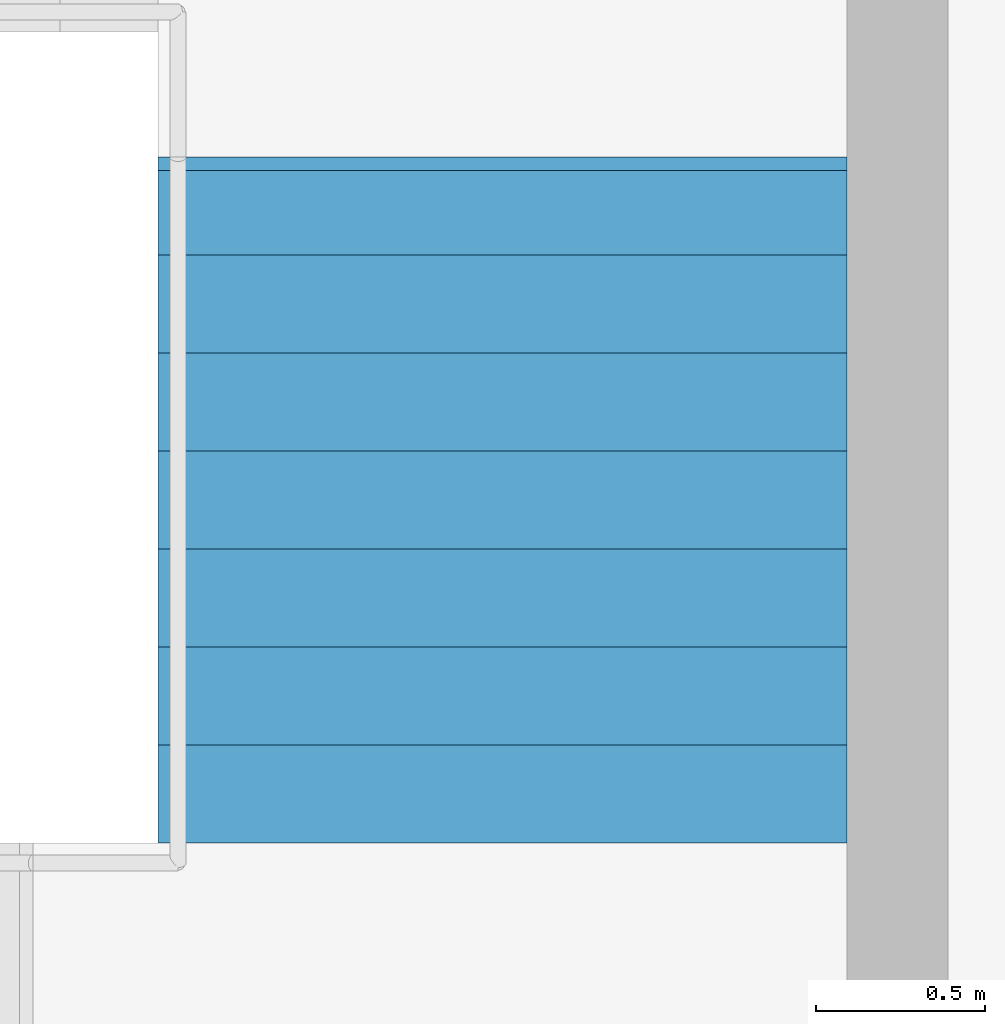
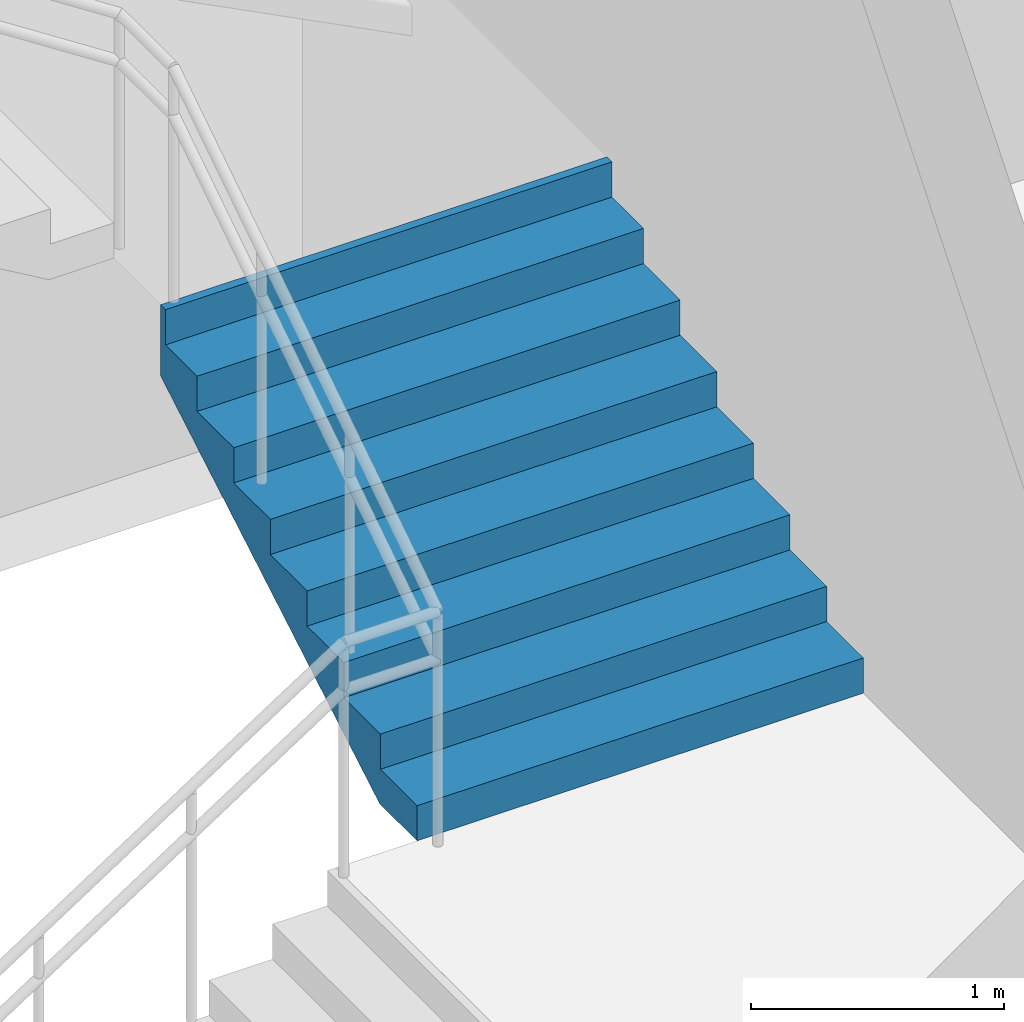
# One storey, part 68 of 74: 1 stair flight, 1 element without a shape of its own.
"""IFC4 building model written with IfcOpenShell, lengths in metres."""

import ifcopenshell
import ifcopenshell.guid

model = None  # the IFC model being written
_history = None  # IfcOwnerHistory: only IFC2X3 demands one
_inside = {}  # id of a spatial element -> (the spatial element, [elements in it])
_under = {}  # id of a project, library or spatial element -> (it, [spatial elements below it])
_declared = {}  # id of a project -> (the project, [libraries it declares])
_typed = {}  # id of a type object -> (the type object, [elements of that type])
_made_of = {}  # id of a material, layer set ... -> (it, [elements and type objects made of it])


def new_model(schema):
    """Start an empty IFC model of exactly this schema.

    Asked for "IFC4X3", IfcOpenShell would pick the latest addendum, in which some entities
    have other attributes; the version numbers below select the first issue.
    IFC2X3 requires an IfcOwnerHistory on every rooted entity: one is made here for all.
    """
    global model, _history
    if schema == "IFC4X3":
        model = ifcopenshell.file(schema_version=(4, 3, 0, 0))
    else:
        model = ifcopenshell.file(schema=schema)
    _inside.clear()
    _under.clear()
    _declared.clear()
    _typed.clear()
    _made_of.clear()
    _history = None
    if model.schema == "IFC2X3":
        org = make("IfcOrganization", Name="unknown")
        user = make(
            "IfcPersonAndOrganization",
            ThePerson=make("IfcPerson", FamilyName="unknown"),
            TheOrganization=org,
        )
        app = make(
            "IfcApplication",
            ApplicationDeveloper=org,
            Version="unknown",
            ApplicationFullName="unknown",
            ApplicationIdentifier="unknown",
        )
        _history = make(
            "IfcOwnerHistory",
            OwningUser=user,
            OwningApplication=app,
            ChangeAction="ADDED",
            CreationDate=0,
        )
    return model


def make(cls, **values):
    """One entity of the class cls with the attributes given. An attribute that is None is left unset."""
    return model.create_entity(
        cls, **{name: value for name, value in values.items() if value is not None}
    )


def rooted(cls, **values):
    """An entity with a GlobalId (a new one), such as an element, a storey or a relation."""
    return make(cls, GlobalId=ifcopenshell.guid.new(), OwnerHistory=_history, **values)


def si_unit(unit_type, name, prefix=None):
    """IfcSIUnit, for example si_unit("LENGTHUNIT", "METRE", prefix="MILLI")."""
    return make("IfcSIUnit", UnitType=unit_type, Prefix=prefix, Name=name)


def assignment(units):
    """IfcUnitAssignment: the units of a project."""
    return None if units is None else make("IfcUnitAssignment", Units=units)


def point(xyz):
    """IfcCartesianPoint."""
    return None if xyz is None else make("IfcCartesianPoint", Coordinates=xyz)


def direction(xyz):
    """IfcDirection."""
    return None if xyz is None else make("IfcDirection", DirectionRatios=xyz)


def frame(location, z_axis=None, x_axis=None):
    """IfcAxis2Placement3D, a coordinate frame: its origin and axes. An axis left out is left unset."""
    return make(
        "IfcAxis2Placement3D",
        Location=point(location),
        Axis=direction(z_axis),
        RefDirection=direction(x_axis),
    )


def origin():
    """The frame at (0, 0, 0) with its axes left unset."""
    return frame((0.0, 0.0, 0.0))


def place(relative_to, where):
    """IfcLocalPlacement: puts the frame where relative to a parent placement (None: the world)."""
    return make(
        "IfcLocalPlacement", PlacementRelTo=relative_to, RelativePlacement=where
    )


def context(
    kind, dimensions, precision=None, world=None, true_north=None, identifier=None
):
    """IfcGeometricRepresentationContext, for example the 3D "Model" context."""
    return make(
        "IfcGeometricRepresentationContext",
        ContextIdentifier=identifier,
        ContextType=kind,
        CoordinateSpaceDimension=dimensions,
        Precision=precision,
        WorldCoordinateSystem=world,
        TrueNorth=true_north,
    )


def subcontext(parent, identifier, kind, view, scale=None):
    """IfcGeometricRepresentationSubContext, for example "Body" below "Model"."""
    return make(
        "IfcGeometricRepresentationSubContext",
        ContextIdentifier=identifier,
        ContextType=kind,
        ParentContext=parent,
        TargetScale=scale,
        TargetView=view,
    )


def project(units=None, contexts=None):
    """IfcProject with its units and contexts."""
    return rooted(
        "IfcProject",
        Name="project",
        RepresentationContexts=contexts,
        UnitsInContext=assignment(units),
    )


def spatial(cls, under=None, at=None, **own):
    """A site, building, storey or space (cls), placed at a placement, below another one or the project."""
    s = rooted(cls, ObjectPlacement=at, **own)
    if under is not None:
        _under.setdefault(under.id(), (under, []))[1].append(s)
    return s


def point_list(points):
    """IfcCartesianPointList2D or 3D."""
    cls = (
        "IfcCartesianPointList2D" if len(points[0]) == 2 else "IfcCartesianPointList3D"
    )
    return make(cls, CoordList=points)


def triangles(points, corners, closed=None, point_numbers=None):
    """IfcTriangulatedFaceSet: each triangle names its three corners, points numbered from 1."""
    return make(
        "IfcTriangulatedFaceSet",
        Coordinates=point_list(points),
        Closed=closed,
        CoordIndex=corners,
        PnIndex=point_numbers,
    )


def shape(context_of_items, identifier, shape_type, items):
    """IfcShapeRepresentation: the items that make up one representation, for example the "Body"."""
    return make(
        "IfcShapeRepresentation",
        ContextOfItems=context_of_items,
        RepresentationIdentifier=identifier,
        RepresentationType=shape_type,
        Items=items,
    )


def material(Name=None, Category=None):
    """IfcMaterial."""
    return make("IfcMaterial", Name=Name, Category=Category)


def made_of(thing, what):
    """Note that an element or type object is made of a material, layer set ...; save() writes the relation."""
    if what is not None:
        _made_of.setdefault(what.id(), (what, []))[1].append(thing)
    return thing


def type_object(cls, material=None, **own):
    """A type object (cls), such as IfcWallType, which elements share."""
    return made_of(rooted(cls, **own), material)


def element(
    cls,
    number,
    at=None,
    inside=None,
    cuts=None,
    type_object=None,
    material=None,
    context=None,
    identifier="Body",
    shape_type=None,
    held_by="IfcProductDefinitionShape",
    body=None,
    shapes=None,
    **own,
):
    """One element of the class cls, such as IfcWall. Its Tag is "e" and its number.

    at: its placement. inside: the storey or other place that contains it. cuts: it is an
    opening in that element (IfcRelVoidsElement). A single representation is given by context,
    identifier, shape_type and body (its items); several are given by shapes. held_by: the class
    of the entity that holds the representations. save() writes the other relations.
    """
    e = rooted(cls, Tag="e%d" % number, ObjectPlacement=at, **own)
    if body is not None:
        shapes = [shape(context, identifier, shape_type, body)]
    if shapes is not None:
        e.Representation = make(held_by, Representations=shapes)
    if inside is not None:
        _inside.setdefault(inside.id(), (inside, []))[1].append(e)
    if cuts is not None:
        rooted(
            "IfcRelVoidsElement", RelatingBuildingElement=cuts, RelatedOpeningElement=e
        )
    if type_object is not None:
        _typed.setdefault(type_object.id(), (type_object, []))[1].append(e)
    return made_of(e, material)


def aggregate(whole, parts):
    """IfcRelAggregates: a whole, such as a stair, and the parts it consists of."""
    return rooted("IfcRelAggregates", RelatingObject=whole, RelatedObjects=parts)


def save(model, path):
    """Write the relations noted so far, then the file.

    IfcRelAggregates (storeys below a building ...), IfcRelContainedInSpatialStructure (elements
    in a storey), IfcRelDefinesByType, IfcRelAssociatesMaterial and IfcRelDeclares: one each for
    every whole, place, type object, material and project.
    """
    for whole, parts in _under.values():
        aggregate(whole, parts)
    for where, things in _inside.values():
        rooted(
            "IfcRelContainedInSpatialStructure",
            RelatedElements=things,
            RelatingStructure=where,
        )
    for kind, things in _typed.values():
        rooted("IfcRelDefinesByType", RelatedObjects=things, RelatingType=kind)
    for what, things in _made_of.values():
        rooted("IfcRelAssociatesMaterial", RelatedObjects=things, RelatingMaterial=what)
    for by, libraries in _declared.values():
        rooted("IfcRelDeclares", RelatingContext=by, RelatedDefinitions=libraries)
    model.write(path)


model = new_model("IFC4")

# Units and contexts
model_context = context("Model", 3, precision=1e-05, world=origin(), true_north=direction((0.0, 1.0)))
body_context = subcontext(model_context, "Body", "Model", "MODEL_VIEW")
ifc_project = project(units=[si_unit("LENGTHUNIT", "METRE"), si_unit("AREAUNIT", "SQUARE_METRE"), si_unit("VOLUMEUNIT", "CUBIC_METRE"), si_unit("PLANEANGLEUNIT", "RADIAN"), si_unit("MASSUNIT", "GRAM", prefix="KILO")], contexts=[model_context])

# Site, building, storey
site_placement = place(None, origin())
site = spatial("IfcSite", under=ifc_project, at=site_placement, CompositionType="ELEMENT")
building_placement = place(site_placement, origin())
building = spatial("IfcBuilding", under=site, at=building_placement, Name="Sillaruma Civic Art Gallery", CompositionType="ELEMENT")
storey_placement = place(building_placement, frame((0.0, 0.0, 5.43994140625)))
storey = spatial("IfcBuildingStorey", under=building, at=storey_placement, Name="L01", CompositionType="ELEMENT", Elevation=5.43994140625)

# Stair, stair flight
ifc_material = material(Name="Concrete H35 (35 MPa)", Category="concrete")
stair_type = type_object("IfcStairType", Name="STR-4F-32", PredefinedType="USERDEFINED", material=ifc_material)
stair_placement = place(storey_placement, origin())
stair = element("IfcStair", 1, at=stair_placement, inside=storey, type_object=stair_type, Name="Protected Exit Stair ST-05 (East Wing) (L01)", ObjectType="THREE_RETURN_STAIR", PredefinedType="USERDEFINED")
stair_flight_type = type_object("IfcStairFlightType", Name="SFL-STR-8", PredefinedType="STRAIGHT", material=ifc_material)
stair_flight_placement = place(storey_placement, frame((147.6201171875, 13.43994140625, 1.360107421875), z_axis=(0.0, 0.0, 1.0), x_axis=(0.0, 1.0, 0.0)))
stair_flight = element("IfcStairFlight", 2, at=stair_flight_placement, type_object=stair_flight_type, Name="ST-05 flight 2", NumberOfRisers=8, NumberOfTreads=7, PredefinedType="STRAIGHT", RiserHeight=0.17, TreadLength=0.29, context=body_context, shape_type="Tessellation", body=[
    triangles([(0.0, -1.02001953125, 0.0), (0.29, -1.02001953125, 0.0), (0.296443, -1.02001953125, 0.0), (0.58, -1.02001953125, 0.166223), (0.87, -1.02001953125, 0.336223), (1.16, -1.02001953125, 0.506223), (1.45, -1.02001953125, 0.676223), (1.74, -1.02001953125, 0.846223), (1.990029, -1.02001953125, 0.992792), (2.030029, -1.02001953125, 1.01624), (2.030029, -1.02001953125, 1.36), (1.990029, -1.02001953125, 1.36), (1.990029, -1.02001953125, 1.19), (1.74, -1.02001953125, 1.19), (1.74, -1.02001953125, 1.02), (1.45, -1.02001953125, 1.02), (1.45, -1.02001953125, 0.85), (1.16, -1.02001953125, 0.85), (1.16, -1.02001953125, 0.68), (0.87, -1.02001953125, 0.68), (0.87, -1.02001953125, 0.51), (0.58, -1.02001953125, 0.51), (0.58, -1.02001953125, 0.34), (0.296443, -1.02001953125, 0.34), (0.29, -1.02001953125, 0.34), (0.29, -1.02001953125, 0.17), (0.0, -1.02001953125, 0.17), (0.0, -0.05, 0.0), (0.29, -0.05, 0.0), (0.296443, -0.05, 0.0), (0.58, -0.05, 0.166223), (0.87, -0.05, 0.336223), (1.16, -0.05, 0.506223), (1.45, -0.05, 0.676223), (1.74, -0.05, 0.846223), (1.990029, -0.05, 0.992792), (2.030029, -0.05, 1.01624), (2.030029, -0.05, 1.36), (1.990029, -0.05, 1.36), (1.990029, -0.05, 1.19), (1.74, -0.05, 1.19), (1.74, -0.05, 1.02), (1.45, -0.05, 1.02), (1.45, -0.05, 0.85), (1.16, -0.05, 0.85), (1.16, -0.05, 0.68), (0.87, -0.05, 0.68), (0.87, -0.05, 0.51), (0.58, -0.05, 0.51), (0.58, -0.05, 0.34), (0.296443, -0.05, 0.34), (0.29, -0.05, 0.34), (0.29, -0.05, 0.17), (0.0, -0.05, 0.17), (0.0, -0.0375, 0.0), (0.29, -0.0375, 0.0), (0.296443, -0.0375, 0.0), (0.58, -0.0375, 0.166223), (0.87, -0.0375, 0.336223), (1.16, -0.0375, 0.506223), (1.45, -0.0375, 0.676223), (1.74, -0.0375, 0.846223), (1.990029, -0.0375, 0.992792), (2.030029, -0.0375, 1.01624), (2.030029, -0.0375, 1.36), (1.990029, -0.0375, 1.36), (1.990029, -0.0375, 1.19), (1.74, -0.0375, 1.19), (1.74, -0.0375, 1.02), (1.45, -0.0375, 1.02), (1.45, -0.0375, 0.85), (1.16, -0.0375, 0.85), (1.16, -0.0375, 0.68), (0.87, -0.0375, 0.68), (0.87, -0.0375, 0.51), (0.58, -0.0375, 0.51), (0.58, -0.0375, 0.34), (0.296443, -0.0375, 0.34), (0.29, -0.0375, 0.34), (0.29, -0.0375, 0.17), (0.0, -0.0375, 0.17), (0.0, -0.025, 0.0), (0.29, -0.025, 0.0), (0.296443, -0.025, 0.0), (0.58, -0.025, 0.166223), (0.87, -0.025, 0.336223), (1.16, -0.025, 0.506223), (1.45, -0.025, 0.676223), (1.74, -0.025, 0.846223), (1.990029, -0.025, 0.992792), (2.030029, -0.025, 1.01624), (2.030029, -0.025, 1.36), (1.990029, -0.025, 1.36), (1.990029, -0.025, 1.19), (1.74, -0.025, 1.19), (1.74, -0.025, 1.02), (1.45, -0.025, 1.02), (1.45, -0.025, 0.85), (1.16, -0.025, 0.85), (1.16, -0.025, 0.68), (0.87, -0.025, 0.68), (0.87, -0.025, 0.51), (0.58, -0.025, 0.51), (0.58, -0.025, 0.34), (0.296443, -0.025, 0.34), (0.29, -0.025, 0.34), (0.29, -0.025, 0.17), (0.0, -0.025, 0.17), (0.0, -0.0125, 0.0), (0.29, -0.0125, 0.0), (0.296443, -0.0125, 0.0), (0.58, -0.0125, 0.166223), (0.87, -0.0125, 0.336223), (1.16, -0.0125, 0.506223), (1.45, -0.0125, 0.676223), (1.74, -0.0125, 0.846223), (1.990029, -0.0125, 0.992792), (2.030029, -0.0125, 1.01624), (2.030029, -0.0125, 1.36), (1.990029, -0.0125, 1.36), (1.990029, -0.0125, 1.19), (1.74, -0.0125, 1.19), (1.74, -0.0125, 1.02), (1.45, -0.0125, 1.02), (1.45, -0.0125, 0.85), (1.16, -0.0125, 0.85), (1.16, -0.0125, 0.68), (0.87, -0.0125, 0.68), (0.87, -0.0125, 0.51), (0.58, -0.0125, 0.51), (0.58, -0.0125, 0.34), (0.296443, -0.0125, 0.34), (0.29, -0.0125, 0.34), (0.29, -0.0125, 0.17), (0.0, -0.0125, 0.17), (0.0, 0.0, 0.0), (0.29, 0.0, 0.0), (0.296443, 0.0, 0.0), (0.58, 0.0, 0.166223), (0.87, 0.0, 0.336223), (1.16, 0.0, 0.506223), (1.45, 0.0, 0.676223), (1.74, 0.0, 0.846223), (1.990029, 0.0, 0.992792), (2.030029, 0.0, 1.01624), (2.030029, 0.0, 1.36), (1.990029, 0.0, 1.36), (1.990029, 0.0, 1.19), (1.74, 0.0, 1.19), (1.74, 0.0, 1.02), (1.45, 0.0, 1.02), (1.45, 0.0, 0.85), (1.16, 0.0, 0.85), (1.16, 0.0, 0.68), (0.87, 0.0, 0.68), (0.87, 0.0, 0.51), (0.58, 0.0, 0.51), (0.58, 0.0, 0.34), (0.296443, 0.0, 0.34), (0.29, 0.0, 0.34), (0.29, 0.0, 0.17), (0.0, 0.0, 0.17), (0.0, 0.0125, 0.0), (0.29, 0.0125, 0.0), (0.296443, 0.0125, 0.0), (0.58, 0.0125, 0.166223), (0.87, 0.0125, 0.336223), (1.16, 0.0125, 0.506223), (1.45, 0.0125, 0.676223), (1.74, 0.0125, 0.846223), (1.990029, 0.0125, 0.992792), (2.030029, 0.0125, 1.01624), (2.030029, 0.0125, 1.36), (1.990029, 0.0125, 1.36), (1.990029, 0.0125, 1.19), (1.74, 0.0125, 1.19), (1.74, 0.0125, 1.02), (1.45, 0.0125, 1.02), (1.45, 0.0125, 0.85), (1.16, 0.0125, 0.85), (1.16, 0.0125, 0.68), (0.87, 0.0125, 0.68), (0.87, 0.0125, 0.51), (0.58, 0.0125, 0.51), (0.58, 0.0125, 0.34), (0.296443, 0.0125, 0.34), (0.29, 0.0125, 0.34), (0.29, 0.0125, 0.17), (0.0, 0.0125, 0.17), (0.0, 0.025, 0.0), (0.29, 0.025, 0.0), (0.296443, 0.025, 0.0), (0.58, 0.025, 0.166223), (0.87, 0.025, 0.336223), (1.16, 0.025, 0.506223), (1.45, 0.025, 0.676223), (1.74, 0.025, 0.846223), (1.990029, 0.025, 0.992792), (2.030029, 0.025, 1.01624), (2.030029, 0.025, 1.36), (1.990029, 0.025, 1.36), (1.990029, 0.025, 1.19), (1.74, 0.025, 1.19), (1.74, 0.025, 1.02), (1.45, 0.025, 1.02), (1.45, 0.025, 0.85), (1.16, 0.025, 0.85), (1.16, 0.025, 0.68), (0.87, 0.025, 0.68), (0.87, 0.025, 0.51), (0.58, 0.025, 0.51), (0.58, 0.025, 0.34), (0.296443, 0.025, 0.34), (0.29, 0.025, 0.34), (0.29, 0.025, 0.17), (0.0, 0.025, 0.17), (0.0, 0.0375, 0.0), (0.29, 0.0375, 0.0), (0.296443, 0.0375, 0.0), (0.58, 0.0375, 0.166223), (0.87, 0.0375, 0.336223), (1.16, 0.0375, 0.506223), (1.45, 0.0375, 0.676223), (1.74, 0.0375, 0.846223), (1.990029, 0.0375, 0.992792), (2.030029, 0.0375, 1.01624), (2.030029, 0.0375, 1.36), (1.990029, 0.0375, 1.36), (1.990029, 0.0375, 1.19), (1.74, 0.0375, 1.19), (1.74, 0.0375, 1.02), (1.45, 0.0375, 1.02), (1.45, 0.0375, 0.85), (1.16, 0.0375, 0.85), (1.16, 0.0375, 0.68), (0.87, 0.0375, 0.68), (0.87, 0.0375, 0.51), (0.58, 0.0375, 0.51), (0.58, 0.0375, 0.34), (0.296443, 0.0375, 0.34), (0.29, 0.0375, 0.34), (0.29, 0.0375, 0.17), (0.0, 0.0375, 0.17), (0.0, 0.05, 0.0), (0.29, 0.05, 0.0), (0.296443, 0.05, 0.0), (0.58, 0.05, 0.166223), (0.87, 0.05, 0.336223), (1.16, 0.05, 0.506223), (1.45, 0.05, 0.676223), (1.74, 0.05, 0.846223), (1.990029, 0.05, 0.992792), (2.030029, 0.05, 1.01624), (2.030029, 0.05, 1.36), (1.990029, 0.05, 1.36), (1.990029, 0.05, 1.19), (1.74, 0.05, 1.19), (1.74, 0.05, 1.02), (1.45, 0.05, 1.02), (1.45, 0.05, 0.85), (1.16, 0.05, 0.85), (1.16, 0.05, 0.68), (0.87, 0.05, 0.68), (0.87, 0.05, 0.51), (0.58, 0.05, 0.51), (0.58, 0.05, 0.34), (0.296443, 0.05, 0.34), (0.29, 0.05, 0.34), (0.29, 0.05, 0.17), (0.0, 0.05, 0.17), (0.0, 1.02001953125, 0.0), (0.29, 1.02001953125, 0.0), (0.296443, 1.02001953125, 0.0), (0.58, 1.02001953125, 0.166223), (0.87, 1.02001953125, 0.336223), (1.16, 1.02001953125, 0.506223), (1.45, 1.02001953125, 0.676223), (1.74, 1.02001953125, 0.846223), (1.990029, 1.02001953125, 0.992792), (2.030029, 1.02001953125, 1.01624), (2.030029, 1.02001953125, 1.36), (1.990029, 1.02001953125, 1.36), (1.990029, 1.02001953125, 1.19), (1.74, 1.02001953125, 1.19), (1.74, 1.02001953125, 1.02), (1.45, 1.02001953125, 1.02), (1.45, 1.02001953125, 0.85), (1.16, 1.02001953125, 0.85), (1.16, 1.02001953125, 0.68), (0.87, 1.02001953125, 0.68), (0.87, 1.02001953125, 0.51), (0.58, 1.02001953125, 0.51), (0.58, 1.02001953125, 0.34), (0.296443, 1.02001953125, 0.34), (0.29, 1.02001953125, 0.34), (0.29, 1.02001953125, 0.17), (0.0, 1.02001953125, 0.17)], [[1, 2, 26], [1, 26, 27], [2, 3, 24], [2, 24, 26], [26, 24, 25], [3, 4, 23], [3, 23, 24], [4, 5, 21], [4, 21, 23], [23, 21, 22], [5, 6, 19], [5, 19, 21], [21, 19, 20], [6, 7, 17], [6, 17, 19], [19, 17, 18], [7, 8, 15], [7, 15, 17], [17, 15, 16], [8, 9, 13], [8, 13, 15], [15, 13, 14], [9, 10, 11], [9, 11, 13], [13, 11, 12], [296, 272, 271], [297, 296, 271], [294, 273, 272], [296, 294, 272], [295, 294, 296], [293, 274, 273], [294, 293, 273], [291, 275, 274], [293, 291, 274], [292, 291, 293], [289, 276, 275], [291, 289, 275], [290, 289, 291], [287, 277, 276], [289, 287, 276], [288, 287, 289], [285, 278, 277], [287, 285, 277], [286, 285, 287], [283, 279, 278], [285, 283, 278], [284, 283, 285], [281, 280, 279], [283, 281, 279], [282, 281, 283], [2, 1, 28], [2, 28, 29], [3, 2, 29], [3, 29, 30], [4, 3, 30], [4, 30, 31], [5, 4, 31], [5, 31, 32], [6, 5, 32], [6, 32, 33], [7, 6, 33], [7, 33, 34], [8, 7, 34], [8, 34, 35], [9, 8, 35], [9, 35, 36], [10, 9, 36], [10, 36, 37], [11, 10, 37], [11, 37, 38], [12, 11, 38], [12, 38, 39], [13, 12, 39], [13, 39, 40], [14, 13, 40], [14, 40, 41], [15, 14, 41], [15, 41, 42], [16, 15, 42], [16, 42, 43], [17, 16, 43], [17, 43, 44], [18, 17, 44], [18, 44, 45], [19, 18, 45], [19, 45, 46], [20, 19, 46], [20, 46, 47], [21, 20, 47], [21, 47, 48], [22, 21, 48], [22, 48, 49], [23, 22, 49], [23, 49, 50], [24, 23, 50], [24, 50, 51], [25, 24, 51], [25, 51, 52], [26, 25, 52], [26, 52, 53], [27, 26, 53], [27, 53, 54], [1, 27, 54], [1, 54, 28], [29, 28, 55], [29, 55, 56], [30, 29, 56], [30, 56, 57], [31, 30, 57], [31, 57, 58], [32, 31, 58], [32, 58, 59], [33, 32, 59], [33, 59, 60], [34, 33, 60], [34, 60, 61], [35, 34, 61], [35, 61, 62], [36, 35, 62], [36, 62, 63], [37, 36, 63], [37, 63, 64], [38, 37, 64], [38, 64, 65], [39, 38, 65], [39, 65, 66], [40, 39, 66], [40, 66, 67], [41, 40, 67], [41, 67, 68], [42, 41, 68], [42, 68, 69], [43, 42, 69], [43, 69, 70], [44, 43, 70], [44, 70, 71], [45, 44, 71], [45, 71, 72], [46, 45, 72], [46, 72, 73], [47, 46, 73], [47, 73, 74], [48, 47, 74], [48, 74, 75], [49, 48, 75], [49, 75, 76], [50, 49, 76], [50, 76, 77], [51, 50, 77], [51, 77, 78], [52, 51, 78], [52, 78, 79], [53, 52, 79], [53, 79, 80], [54, 53, 80], [54, 80, 81], [28, 54, 81], [28, 81, 55], [56, 55, 82], [56, 82, 83], [57, 56, 83], [57, 83, 84], [58, 57, 84], [58, 84, 85], [59, 58, 85], [59, 85, 86], [60, 59, 86], [60, 86, 87], [61, 60, 87], [61, 87, 88], [62, 61, 88], [62, 88, 89], [63, 62, 89], [63, 89, 90], [64, 63, 90], [64, 90, 91], [65, 64, 91], [65, 91, 92], [66, 65, 92], [66, 92, 93], [67, 66, 93], [67, 93, 94], [68, 67, 94], [68, 94, 95], [69, 68, 95], [69, 95, 96], [70, 69, 96], [70, 96, 97], [71, 70, 97], [71, 97, 98], [72, 71, 98], [72, 98, 99], [73, 72, 99], [73, 99, 100], [74, 73, 100], [74, 100, 101], [75, 74, 101], [75, 101, 102], [76, 75, 102], [76, 102, 103], [77, 76, 103], [77, 103, 104], [78, 77, 104], [78, 104, 105], [79, 78, 105], [79, 105, 106], [80, 79, 106], [80, 106, 107], [81, 80, 107], [81, 107, 108], [55, 81, 108], [55, 108, 82], [83, 82, 109], [83, 109, 110], [84, 83, 110], [84, 110, 111], [85, 84, 111], [85, 111, 112], [86, 85, 112], [86, 112, 113], [87, 86, 113], [87, 113, 114], [88, 87, 114], [88, 114, 115], [89, 88, 115], [89, 115, 116], [90, 89, 116], [90, 116, 117], [91, 90, 117], [91, 117, 118], [92, 91, 118], [92, 118, 119], [93, 92, 119], [93, 119, 120], [94, 93, 120], [94, 120, 121], [95, 94, 121], [95, 121, 122], [96, 95, 122], [96, 122, 123], [97, 96, 123], [97, 123, 124], [98, 97, 124], [98, 124, 125], [99, 98, 125], [99, 125, 126], [100, 99, 126], [100, 126, 127], [101, 100, 127], [101, 127, 128], [102, 101, 128], [102, 128, 129], [103, 102, 129], [103, 129, 130], [104, 103, 130], [104, 130, 131], [105, 104, 131], [105, 131, 132], [106, 105, 132], [106, 132, 133], [107, 106, 133], [107, 133, 134], [108, 107, 134], [108, 134, 135], [82, 108, 135], [82, 135, 109], [110, 109, 136], [110, 136, 137], [111, 110, 137], [111, 137, 138], [112, 111, 138], [112, 138, 139], [113, 112, 139], [113, 139, 140], [114, 113, 140], [114, 140, 141], [115, 114, 141], [115, 141, 142], [116, 115, 142], [116, 142, 143], [117, 116, 143], [117, 143, 144], [118, 117, 144], [118, 144, 145], [119, 118, 145], [119, 145, 146], [120, 119, 146], [120, 146, 147], [121, 120, 147], [121, 147, 148], [122, 121, 148], [122, 148, 149], [123, 122, 149], [123, 149, 150], [124, 123, 150], [124, 150, 151], [125, 124, 151], [125, 151, 152], [126, 125, 152], [126, 152, 153], [127, 126, 153], [127, 153, 154], [128, 127, 154], [128, 154, 155], [129, 128, 155], [129, 155, 156], [130, 129, 156], [130, 156, 157], [131, 130, 157], [131, 157, 158], [132, 131, 158], [132, 158, 159], [133, 132, 159], [133, 159, 160], [134, 133, 160], [134, 160, 161], [135, 134, 161], [135, 161, 162], [109, 135, 162], [109, 162, 136], [137, 136, 163], [137, 163, 164], [138, 137, 164], [138, 164, 165], [139, 138, 165], [139, 165, 166], [140, 139, 166], [140, 166, 167], [141, 140, 167], [141, 167, 168], [142, 141, 168], [142, 168, 169], [143, 142, 169], [143, 169, 170], [144, 143, 170], [144, 170, 171], [145, 144, 171], [145, 171, 172], [146, 145, 172], [146, 172, 173], [147, 146, 173], [147, 173, 174], [148, 147, 174], [148, 174, 175], [149, 148, 175], [149, 175, 176], [150, 149, 176], [150, 176, 177], [151, 150, 177], [151, 177, 178], [152, 151, 178], [152, 178, 179], [153, 152, 179], [153, 179, 180], [154, 153, 180], [154, 180, 181], [155, 154, 181], [155, 181, 182], [156, 155, 182], [156, 182, 183], [157, 156, 183], [157, 183, 184], [158, 157, 184], [158, 184, 185], [159, 158, 185], [159, 185, 186], [160, 159, 186], [160, 186, 187], [161, 160, 187], [161, 187, 188], [162, 161, 188], [162, 188, 189], [136, 162, 189], [136, 189, 163], [164, 163, 190], [164, 190, 191], [165, 164, 191], [165, 191, 192], [166, 165, 192], [166, 192, 193], [167, 166, 193], [167, 193, 194], [168, 167, 194], [168, 194, 195], [169, 168, 195], [169, 195, 196], [170, 169, 196], [170, 196, 197], [171, 170, 197], [171, 197, 198], [172, 171, 198], [172, 198, 199], [173, 172, 199], [173, 199, 200], [174, 173, 200], [174, 200, 201], [175, 174, 201], [175, 201, 202], [176, 175, 202], [176, 202, 203], [177, 176, 203], [177, 203, 204], [178, 177, 204], [178, 204, 205], [179, 178, 205], [179, 205, 206], [180, 179, 206], [180, 206, 207], [181, 180, 207], [181, 207, 208], [182, 181, 208], [182, 208, 209], [183, 182, 209], [183, 209, 210], [184, 183, 210], [184, 210, 211], [185, 184, 211], [185, 211, 212], [186, 185, 212], [186, 212, 213], [187, 186, 213], [187, 213, 214], [188, 187, 214], [188, 214, 215], [189, 188, 215], [189, 215, 216], [163, 189, 216], [163, 216, 190], [191, 190, 217], [191, 217, 218], [192, 191, 218], [192, 218, 219], [193, 192, 219], [193, 219, 220], [194, 193, 220], [194, 220, 221], [195, 194, 221], [195, 221, 222], [196, 195, 222], [196, 222, 223], [197, 196, 223], [197, 223, 224], [198, 197, 224], [198, 224, 225], [199, 198, 225], [199, 225, 226], [200, 199, 226], [200, 226, 227], [201, 200, 227], [201, 227, 228], [202, 201, 228], [202, 228, 229], [203, 202, 229], [203, 229, 230], [204, 203, 230], [204, 230, 231], [205, 204, 231], [205, 231, 232], [206, 205, 232], [206, 232, 233], [207, 206, 233], [207, 233, 234], [208, 207, 234], [208, 234, 235], [209, 208, 235], [209, 235, 236], [210, 209, 236], [210, 236, 237], [211, 210, 237], [211, 237, 238], [212, 211, 238], [212, 238, 239], [213, 212, 239], [213, 239, 240], [214, 213, 240], [214, 240, 241], [215, 214, 241], [215, 241, 242], [216, 215, 242], [216, 242, 243], [190, 216, 243], [190, 243, 217], [218, 217, 244], [218, 244, 245], [219, 218, 245], [219, 245, 246], [220, 219, 246], [220, 246, 247], [221, 220, 247], [221, 247, 248], [222, 221, 248], [222, 248, 249], [223, 222, 249], [223, 249, 250], [224, 223, 250], [224, 250, 251], [225, 224, 251], [225, 251, 252], [226, 225, 252], [226, 252, 253], [227, 226, 253], [227, 253, 254], [228, 227, 254], [228, 254, 255], [229, 228, 255], [229, 255, 256], [230, 229, 256], [230, 256, 257], [231, 230, 257], [231, 257, 258], [232, 231, 258], [232, 258, 259], [233, 232, 259], [233, 259, 260], [234, 233, 260], [234, 260, 261], [235, 234, 261], [235, 261, 262], [236, 235, 262], [236, 262, 263], [237, 236, 263], [237, 263, 264], [238, 237, 264], [238, 264, 265], [239, 238, 265], [239, 265, 266], [240, 239, 266], [240, 266, 267], [241, 240, 267], [241, 267, 268], [242, 241, 268], [242, 268, 269], [243, 242, 269], [243, 269, 270], [217, 243, 270], [217, 270, 244], [245, 244, 271], [245, 271, 272], [246, 245, 272], [246, 272, 273], [247, 246, 273], [247, 273, 274], [248, 247, 274], [248, 274, 275], [249, 248, 275], [249, 275, 276], [250, 249, 276], [250, 276, 277], [251, 250, 277], [251, 277, 278], [252, 251, 278], [252, 278, 279], [253, 252, 279], [253, 279, 280], [254, 253, 280], [254, 280, 281], [255, 254, 281], [255, 281, 282], [256, 255, 282], [256, 282, 283], [257, 256, 283], [257, 283, 284], [258, 257, 284], [258, 284, 285], [259, 258, 285], [259, 285, 286], [260, 259, 286], [260, 286, 287], [261, 260, 287], [261, 287, 288], [262, 261, 288], [262, 288, 289], [263, 262, 289], [263, 289, 290], [264, 263, 290], [264, 290, 291], [265, 264, 291], [265, 291, 292], [266, 265, 292], [266, 292, 293], [267, 266, 293], [267, 293, 294], [268, 267, 294], [268, 294, 295], [269, 268, 295], [269, 295, 296], [270, 269, 296], [270, 296, 297], [244, 270, 297], [244, 297, 271]], closed=True),
])
aggregate(stair, [stair_flight])

save(model, "model.ifc")
